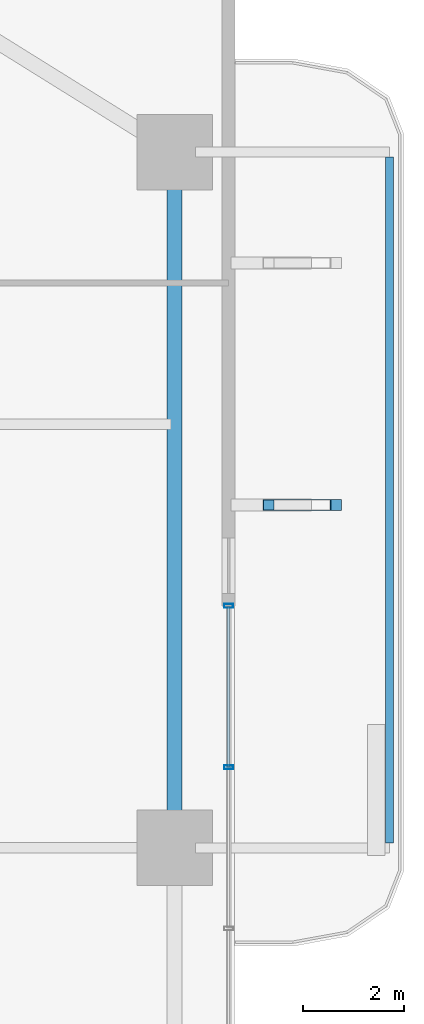
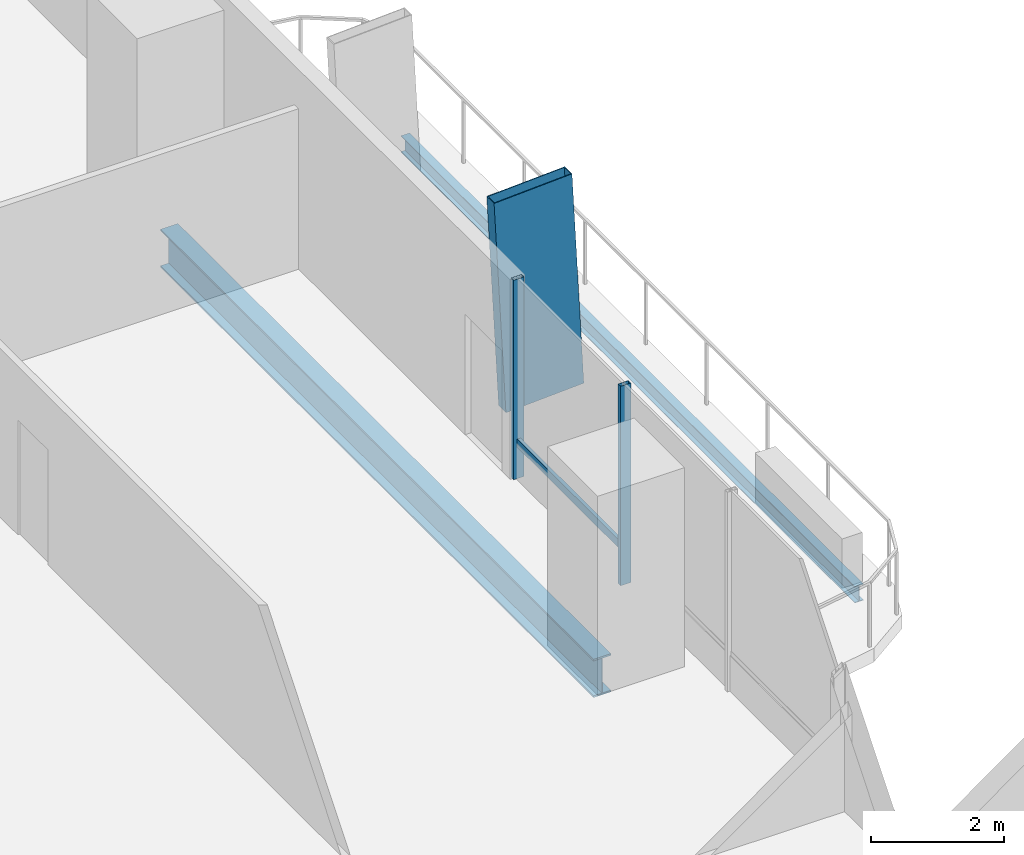
# One storey, part 13 of 24: 4 members, 2 beams, 1 element without a shape of its own.
"""IFC4 building model written with IfcOpenShell, lengths in metres."""

from ifc_helpers import new_model, si_unit, direction, frame, origin, origin_2d, place, context, subcontext, project, spatial, hollow_rectangle, i_section, extrude, material, layer, layer_set, material_profile, profile_set, type_object, element, aggregate, save


model = new_model("IFC4")

# Units and contexts
model_context = context("Model", 3, precision=1e-05, world=origin(), true_north=direction((0.0, 1.0)))
body_context = subcontext(model_context, "Body", "Model", "MODEL_VIEW")
ifc_project = project(units=[si_unit("LENGTHUNIT", "METRE"), si_unit("AREAUNIT", "SQUARE_METRE"), si_unit("VOLUMEUNIT", "CUBIC_METRE"), si_unit("PLANEANGLEUNIT", "RADIAN"), si_unit("MASSUNIT", "GRAM", prefix="KILO")], contexts=[model_context])

# Site, building, storey
site_placement = place(None, origin())
site = spatial("IfcSite", under=ifc_project, at=site_placement, CompositionType="ELEMENT")
building_placement = place(site_placement, origin())
building = spatial("IfcBuilding", under=site, at=building_placement, Name="Belovzor Exchange Tower", CompositionType="ELEMENT")
storey_placement = place(building_placement, frame((0.0, 0.0, 69.0)))
storey = spatial("IfcBuildingStorey", under=building, at=storey_placement, Name="L16", CompositionType="ELEMENT", Elevation=69.0)

# Member
ifc_material_1 = material(Name="Extruded Architectural Terracotta on Steel S355 Carrier", Category="masonry")
ifc_material_profile_1 = material_profile(ifc_material_1, hollow_rectangle(XDim=0.219970703125, YDim=1.35009765625, WallThickness=0.013916015625, at=origin_2d()))
ifc_profile_set_1 = profile_set([ifc_material_profile_1], Name="Extruded Architectural Terracotta on Steel S355 Carrier")
member_type_1 = type_object("IfcMemberType", Name="Base Arc Sweeping Terracotta Pylon Fin 1450", PredefinedType="USERDEFINED", material=ifc_profile_set_1)
member_1_placement = place(storey_placement, frame((58.132080078125, 35.60009765625, -0.25), z_axis=(-0.052512896371, 0.0, 0.998620245997), x_axis=(0.0, -1.0, 0.0)))
element("IfcMember", 1, at=member_1_placement, inside=storey, type_object=member_type_1, Name="FIN-TC145 Terracotta Facade Fin L16 E3", ObjectType="FIN", PredefinedType="USERDEFINED", context=body_context, shape_type="SweptSolid", body=[
    extrude(hollow_rectangle(XDim=0.219970703125, YDim=1.35009765625, WallThickness=0.013916015625, at=origin_2d()), origin(), (0.0, 0.0, 1.0), 3.9052734375),
])

# Beam
ifc_material_2 = material(Name="Steel S355", Category="steel")
ifc_material_profile_2 = material_profile(ifc_material_2, i_section(OverallWidth=0.14990234375, OverallDepth=0.300048828125, WebThickness=0.007080078125, FlangeThickness=0.0107421875, at=origin_2d()))
ifc_profile_set_2 = profile_set([ifc_material_profile_2], Name="Steel S355")
beam_type_1 = type_object("IfcBeamType", Name="Planted Balcony Fascia Edge Beam IPE 300", PredefinedType="BEAM", material=ifc_profile_set_2)
beam_1_placement = place(storey_placement, frame((59.762939453125, 28.89990234375, -0.39990234375), z_axis=(0.0, 1.0, 0.0), x_axis=(-1.0, 0.0, 0.0)))
element("IfcBeam", 2, at=beam_1_placement, inside=storey, type_object=beam_type_1, Name="BC-300 Planted Balcony Fascia Edge Beam IPE 300", PredefinedType="BEAM", context=body_context, shape_type="SweptSolid", body=[
    extrude(i_section(OverallWidth=0.14990234375, OverallDepth=0.300048828125, WebThickness=0.007080078125, FlangeThickness=0.0107421875, at=origin_2d()), origin(), (0.0, 0.0, 1.0), 13.60009765625),
])

# Curtain wall, members
ifc_material_3 = material(Name="Anodised Aluminium Framing", Category="aluminium")
ifc_layer = layer(ifc_material_3, 0.179931640625)
ifc_layer_set = layer_set([ifc_layer], Name="Anodised Aluminium Framing")
curtain_wall_type = type_object("IfcCurtainWallType", Name="Recessed Loggia Low-Iron Triple-Glazed Curtain Wall", PredefinedType="NOTDEFINED", material=ifc_layer_set)
curtain_wall_placement = place(storey_placement, origin())
curtain_wall = element("IfcCurtainWall", 3, at=curtain_wall_placement, inside=storey, type_object=curtain_wall_type, Name="CW3 Recessed Loggia Low-Iron Triple-Glazed Curtain Wall L16", PredefinedType="NOTDEFINED")
ifc_material_4 = material(Name="Steel S355", Category="steel")
ifc_material_profile_3 = material_profile(ifc_material_4, hollow_rectangle(XDim=0.074951171875, YDim=0.179931640625, WallThickness=0.0048828125, at=origin_2d()))
ifc_profile_set_3 = profile_set([ifc_material_profile_3], Name="Steel S355")
member_type_2 = type_object("IfcMemberType", Name="Thermally Broken Curtain Wall Mullion 180x75", PredefinedType="MULLION", material=ifc_profile_set_3)
member_2_placement = place(storey_placement, frame((56.570068359375, 33.60009765625, 0.0), z_axis=(0.0, 0.0, 1.0), x_axis=(0.0, -1.0, 0.0)))
member_2 = element("IfcMember", 4, at=member_2_placement, type_object=member_type_2, Name="CW-M180 Curtain Wall Mullion 1", PredefinedType="MULLION", context=body_context, shape_type="SweptSolid", body=[
    extrude(hollow_rectangle(XDim=0.074951171875, YDim=0.179931640625, WallThickness=0.0048828125, at=origin_2d()), origin(), (0.0, 0.0, 1.0), 3.64990234375),
])
member_3_placement = place(storey_placement, frame((56.570068359375, 30.39990234375, 0.0), z_axis=(0.0, 0.0, 1.0), x_axis=(0.0, -1.0, 0.0)))
member_3 = element("IfcMember", 5, at=member_3_placement, type_object=member_type_2, Name="CW-M180 Curtain Wall Mullion 2", PredefinedType="MULLION", context=body_context, shape_type="SweptSolid", body=[
    extrude(hollow_rectangle(XDim=0.074951171875, YDim=0.179931640625, WallThickness=0.0048828125, at=origin_2d()), origin(), (0.0, 0.0, 1.0), 3.64990234375),
])
ifc_material_5 = material(Name="Steel S355", Category="steel")
ifc_material_profile_4 = material_profile(ifc_material_5, hollow_rectangle(XDim=0.06005859375, YDim=0.14990234375, WallThickness=0.00390625, at=origin_2d()))
ifc_profile_set_4 = profile_set([ifc_material_profile_4], Name="Steel S355")
member_type_3 = type_object("IfcMemberType", Name="Thermally Broken Curtain Wall Transom 150x60", PredefinedType="USERDEFINED", material=ifc_profile_set_4)
member_4_placement = place(storey_placement, frame((56.570068359375, 33.592041015625, 0.64990234375), z_axis=(0.0, -1.0, 0.0), x_axis=(1.0, 0.0, 0.0)))
member_4 = element("IfcMember", 6, at=member_4_placement, type_object=member_type_3, Name="CW-T150 Curtain Wall Transom 1", ObjectType="TRANSOM", PredefinedType="USERDEFINED", context=body_context, shape_type="SweptSolid", body=[
    extrude(hollow_rectangle(XDim=0.06005859375, YDim=0.14990234375, WallThickness=0.00390625, at=origin_2d()), origin(), (0.0, 0.0, 1.0), 3.18408203125),
])
aggregate(curtain_wall, [member_2, member_3, member_4])

# Beam
ifc_material_6 = material(Name="Steel S355", Category="steel")
ifc_material_profile_5 = material_profile(ifc_material_6, i_section(OverallWidth=0.300048828125, OverallDepth=0.699951171875, WebThickness=0.01708984375, FlangeThickness=0.031982421875, at=origin_2d()))
ifc_profile_set_5 = profile_set([ifc_material_profile_5], Name="Steel S355")
beam_type_2 = type_object("IfcBeamType", Name="Zone 1 Primary Perimeter Girder HEB 700", PredefinedType="BEAM", material=ifc_profile_set_5)
beam_2_placement = place(storey_placement, frame((55.5, 29.212890625, -0.60009765625), z_axis=(0.0, 1.0, 0.0), x_axis=(-1.0, 0.0, 0.0)))
element("IfcBeam", 7, at=beam_2_placement, inside=storey, type_object=beam_type_2, Name="FG-Z1 Zone 1 Primary Perimeter Girder HEB 700", PredefinedType="BEAM", context=body_context, shape_type="SweptSolid", body=[
    extrude(i_section(OverallWidth=0.300048828125, OverallDepth=0.699951171875, WebThickness=0.01708984375, FlangeThickness=0.031982421875, at=origin_2d()), origin(), (0.0, 0.0, 1.0), 12.97509765625),
])

save(model, "model.ifc")
